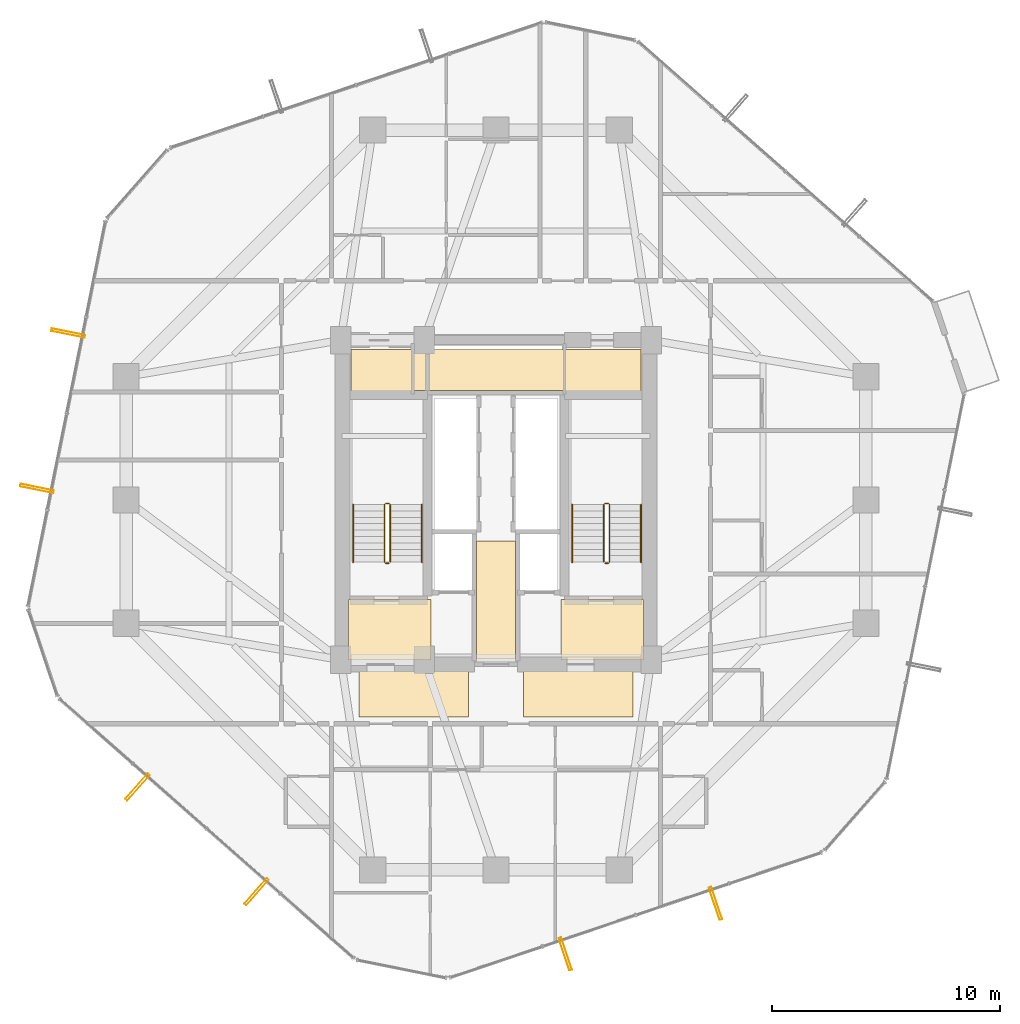
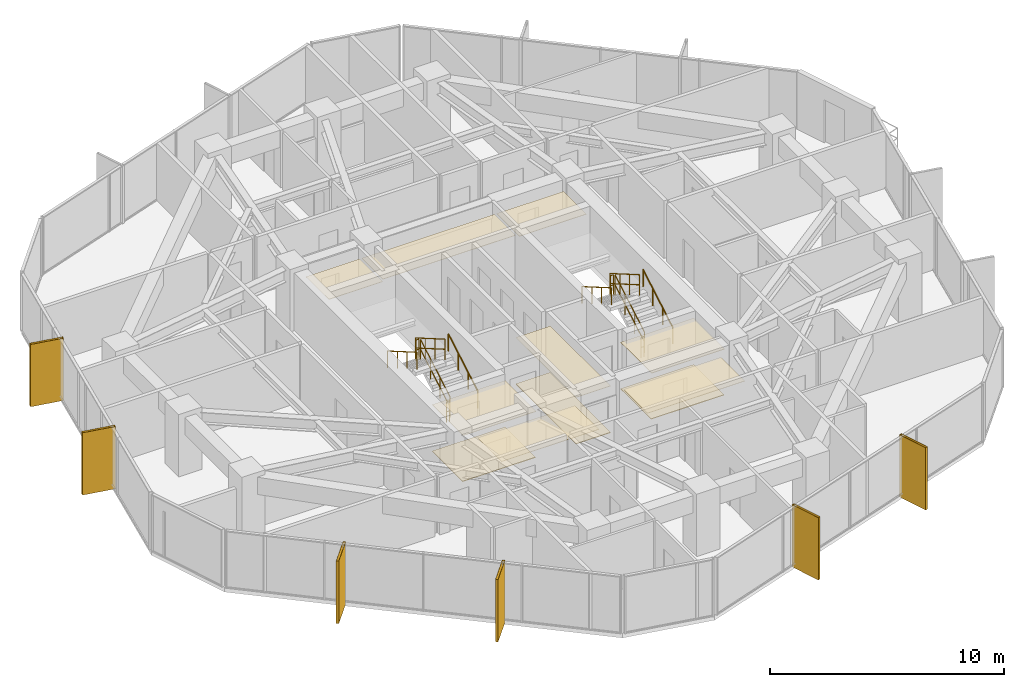
# One storey, part 31 of 32: 12 railings, 11 coverings, 6 shading devices.
"""IFC4 building model written with IfcOpenShell, lengths in metres."""

from ifc_helpers import new_model, si_unit, direction, frame, origin, origin_2d, place, context, subcontext, project, spatial, polyline, hollow_rectangle, circle, outline, extrude, material, layer, layer_set, material_profile, profile_set, type_object, element, save


model = new_model("IFC4")

# Units and contexts
model_context = context("Model", 3, precision=1e-05, world=origin(), true_north=direction((0.0, 1.0)))
body_context = subcontext(model_context, "Body", "Model", "MODEL_VIEW")
ifc_project = project(units=[si_unit("LENGTHUNIT", "METRE"), si_unit("AREAUNIT", "SQUARE_METRE"), si_unit("VOLUMEUNIT", "CUBIC_METRE"), si_unit("PLANEANGLEUNIT", "RADIAN"), si_unit("MASSUNIT", "GRAM", prefix="KILO")], contexts=[model_context])

# Site, building, storey
site_placement = place(None, origin())
site = spatial("IfcSite", under=ifc_project, at=site_placement, CompositionType="ELEMENT")
building_placement = place(site_placement, origin())
building = spatial("IfcBuilding", under=site, at=building_placement, Name="Veraguas Prism Commons", CompositionType="ELEMENT")
storey_placement = place(building_placement, frame((0.0, 0.0, 89.449951171875)))
storey = spatial("IfcBuildingStorey", under=building, at=storey_placement, Name="L24", CompositionType="ELEMENT", Elevation=89.449951171875)

# Shading devices
ifc_material_1 = material(Name="Anodised aluminium EN AW-6063 T6", Category="aluminium")
ifc_material_profile = material_profile(ifc_material_1, hollow_rectangle(XDim=0.1201171875, YDim=1.489990234375, WallThickness=0.006103515625, at=origin_2d()), Name="FIN120X1490X6")
ifc_profile_set = profile_set([ifc_material_profile], Name="Anodised aluminium EN AW-6063 T6")
shading_device_type = type_object("IfcShadingDeviceType", Name="Deep Pale-Metal Vertical Solar Fin 120x1490", PredefinedType="USERDEFINED", material=ifc_profile_set)
for number, where, z_axis, x_axis, name in (
    (1, (5.266845703125, 31.31103515625, -0.22998046875), (0.0, 0.0, 1.0), (-0.197316860169, -0.980339765945, 0.0), "Vertical Pale-Metal Solar Fin L24-F3A"),
    (2, (3.897216796875, 24.505615234375, -0.22998046875), (0.0, 0.0, 1.0), (-0.197316860169, -0.980339765945, 0.0), "Vertical Pale-Metal Solar Fin L24-F3B"),
    (3, (8.302001953125, 11.43212890625, -0.22998046875), (0.0, 0.0, 1.0), (0.750338404055, -0.661053915653, 0.0), "Vertical Pale-Metal Solar Fin L24-F4A"),
    (4, (13.510498046875, 6.84326171875, -0.22998046875), (0.0, 0.0, 1.0), (0.750338404055, -0.661053915653, 0.0), "Vertical Pale-Metal Solar Fin L24-F4B"),
    (5, (27.03515625, 4.12109375, -0.22998046875), (0.0, 0.0, 1.0), (0.947658686254, 0.31928516152, 0.0), "Vertical Pale-Metal Solar Fin L24-F5A"),
    (6, (33.613525390625, 6.33740234375, -0.22998046875), (0.0, 0.0, 1.0), (0.947658686254, 0.31928516152, 0.0), "Vertical Pale-Metal Solar Fin L24-F5B"),
):
    element("IfcShadingDevice", number, at=place(storey_placement, frame(where, z_axis=z_axis, x_axis=x_axis)), inside=storey, type_object=shading_device_type, Name=name, ObjectType="FIN", PredefinedType="USERDEFINED", context=body_context, shape_type="SweptSolid", body=[
        extrude(hollow_rectangle(XDim=0.1201171875, YDim=1.489990234375, WallThickness=0.006103515625, at=origin_2d()), origin(), (0.0, 0.0, 1.0), 3.25),
    ])

# Coverings
ifc_material_2 = material(Name="Acoustic gypsum board")
ifc_layer_1 = layer(ifc_material_2, 0.02490234375, Name="Perforated Acoustic Ceiling Tile 25")
ifc_layer_set_1 = layer_set([ifc_layer_1], Name="Acoustic gypsum board")
covering_type_1 = type_object("IfcCoveringType", Name="Perforated Acoustic Ceiling Tile 25", PredefinedType="USERDEFINED", material=ifc_layer_set_1)
covering_1_placement = place(storey_placement, frame((0.0, 0.0, 2.425048828125)))
element("IfcCovering", 7, at=covering_1_placement, inside=storey, type_object=covering_type_1, Name="East Lobby Acoustic Ceiling L24", ObjectType="ACOUSTIC CEILING", PredefinedType="USERDEFINED", context=body_context, shape_type="SweptSolid", body=[
    extrude(outline(polyline([(26.85009765625, 17.0), (30.449951171875, 17.0), (30.449951171875, 19.64990234375), (26.85009765625, 19.64990234375), (26.85009765625, 17.0)])), origin(), (0.0, 0.0, 1.0), 0.02490234375),
])
ifc_material_3 = material(Name="Terrazzo stone finish", Category="masonry")
ifc_layer_2 = layer(ifc_material_3, 0.030029296875, Name="Polished Terrazzo Floor Finish 30", Category="masonry")
ifc_layer_set_2 = layer_set([ifc_layer_2], Name="Terrazzo stone finish")
covering_type_2 = type_object("IfcCoveringType", Name="Polished Terrazzo Floor Finish 30", PredefinedType="FLOORING", material=ifc_layer_set_2)
covering_2_placement = place(storey_placement, origin())
element("IfcCovering", 8, at=covering_2_placement, inside=storey, type_object=covering_type_2, Name="Terrazzo Lobby Flooring L24", PredefinedType="FLOORING", context=body_context, shape_type="SweptSolid", body=[
    extrude(outline(polyline([(23.14990234375, 17.050048828125), (24.85009765625, 17.050048828125), (24.85009765625, 22.199951171875), (23.14990234375, 22.199951171875), (23.14990234375, 17.050048828125)])), origin(), (0.0, 0.0, 1.0), 0.030029296875),
])
covering_3_placement = place(storey_placement, origin())
element("IfcCovering", 9, at=covering_3_placement, inside=storey, type_object=covering_type_2, Name="West FF Lobby Terrazzo Flooring L24", PredefinedType="FLOORING", context=body_context, shape_type="SweptSolid", body=[
    extrude(outline(polyline([(17.550048828125, 17.050048828125), (21.14990234375, 17.050048828125), (21.14990234375, 19.64990234375), (17.550048828125, 19.64990234375), (17.550048828125, 17.050048828125)])), origin(), (0.0, 0.0, 1.0), 0.030029296875),
])
covering_4_placement = place(storey_placement, origin())
element("IfcCovering", 10, at=covering_4_placement, inside=storey, type_object=covering_type_2, Name="East FF Lobby Terrazzo Flooring L24", PredefinedType="FLOORING", context=body_context, shape_type="SweptSolid", body=[
    extrude(outline(polyline([(26.85009765625, 17.050048828125), (30.449951171875, 17.050048828125), (30.449951171875, 19.64990234375), (26.85009765625, 19.64990234375), (26.85009765625, 17.050048828125)])), origin(), (0.0, 0.0, 1.0), 0.030029296875),
])

# Railings
ifc_material_4 = material(Name="Stainless steel AISI 316", Category="steel")
railing_type_1 = type_object("IfcRailingType", Name="Stair and Ramp Stainless Handrail 900", PredefinedType="HANDRAIL", material=ifc_material_4)
railing_1_placement = place(storey_placement, frame((20.75, 21.280029296875, 0.16259765625)))
element("IfcRailing", 11, at=railing_1_placement, inside=storey, type_object=railing_type_1, Name="Stair Handrail ST-01 L24-1", PredefinedType="HANDRAIL", context=body_context, shape_type="SweptSolid", body=[
    extrude(circle(Radius=0.02392578125, at=origin_2d()), frame((0.0, 0.0, 0.8759765625), z_axis=(0.0, 0.864913338283, 0.50192122615), x_axis=(-1.0, 0.0, 0.0)), (0.0, 0.0, 1.0), 2.91357421875),
    extrude(circle(Radius=0.02099609375, at=origin_2d()), origin(), (0.0, 0.0, 1.0), 0.851806640625),
    extrude(circle(Radius=0.02099609375, at=origin_2d()), frame((0.0, 0.840087890625, 0.487548828125)), (0.0, 0.0, 1.0), 0.851806640625),
    extrude(circle(Radius=0.02099609375, at=origin_2d()), frame((0.0, 1.679931640625, 0.974853515625)), (0.0, 0.0, 1.0), 0.851806640625),
    extrude(circle(Radius=0.02099609375, at=origin_2d()), frame((0.0, 2.52001953125, 1.46240234375)), (0.0, 0.0, 1.0), 0.851806640625),
])
railing_2_placement = place(storey_placement, frame((17.739990234375, 23.800048828125, 1.78759765625)))
element("IfcRailing", 12, at=railing_2_placement, inside=storey, type_object=railing_type_1, Name="Stair Handrail ST-01 L24-2", PredefinedType="HANDRAIL", context=body_context, shape_type="SweptSolid", body=[
    extrude(circle(Radius=0.02392578125, at=origin_2d()), frame((0.0, 0.0, 0.8759765625), z_axis=(0.0, -0.864913338283, 0.50192122615), x_axis=(1.0, 0.0, 0.0)), (0.0, 0.0, 1.0), 2.91357421875),
    extrude(circle(Radius=0.02099609375, at=origin_2d()), origin(), (0.0, 0.0, 1.0), 0.851806640625),
    extrude(circle(Radius=0.02099609375, at=origin_2d()), frame((0.0, -0.840087890625, 0.487548828125)), (0.0, 0.0, 1.0), 0.851806640625),
    extrude(circle(Radius=0.02099609375, at=origin_2d()), frame((0.0, -1.679931640625, 0.974853515625)), (0.0, 0.0, 1.0), 0.851806640625),
    extrude(circle(Radius=0.02099609375, at=origin_2d()), frame((0.0, -2.52001953125, 1.46240234375)), (0.0, 0.0, 1.0), 0.851806640625),
])
railing_3_placement = place(storey_placement, frame((30.35009765625, 21.280029296875, 0.16259765625)))
element("IfcRailing", 13, at=railing_3_placement, inside=storey, type_object=railing_type_1, Name="Stair Handrail ST-02 L24-1", PredefinedType="HANDRAIL", context=body_context, shape_type="SweptSolid", body=[
    extrude(circle(Radius=0.02392578125, at=origin_2d()), frame((0.0, 0.0, 0.8759765625), z_axis=(0.0, 0.864913338283, 0.50192122615), x_axis=(-1.0, 0.0, 0.0)), (0.0, 0.0, 1.0), 2.91357421875),
    extrude(circle(Radius=0.02099609375, at=origin_2d()), origin(), (0.0, 0.0, 1.0), 0.851806640625),
    extrude(circle(Radius=0.02099609375, at=origin_2d()), frame((0.0, 0.840087890625, 0.487548828125)), (0.0, 0.0, 1.0), 0.851806640625),
    extrude(circle(Radius=0.02099609375, at=origin_2d()), frame((0.0, 1.679931640625, 0.974853515625)), (0.0, 0.0, 1.0), 0.851806640625),
    extrude(circle(Radius=0.02099609375, at=origin_2d()), frame((0.0, 2.52001953125, 1.46240234375)), (0.0, 0.0, 1.0), 0.851806640625),
])
railing_4_placement = place(storey_placement, frame((27.340087890625, 23.800048828125, 1.78759765625)))
element("IfcRailing", 14, at=railing_4_placement, inside=storey, type_object=railing_type_1, Name="Stair Handrail ST-02 L24-2", PredefinedType="HANDRAIL", context=body_context, shape_type="SweptSolid", body=[
    extrude(circle(Radius=0.02392578125, at=origin_2d()), frame((0.0, 0.0, 0.8759765625), z_axis=(0.0, -0.864913338283, 0.50192122615), x_axis=(1.0, 0.0, 0.0)), (0.0, 0.0, 1.0), 2.91357421875),
    extrude(circle(Radius=0.02099609375, at=origin_2d()), origin(), (0.0, 0.0, 1.0), 0.851806640625),
    extrude(circle(Radius=0.02099609375, at=origin_2d()), frame((0.0, -0.840087890625, 0.487548828125)), (0.0, 0.0, 1.0), 0.851806640625),
    extrude(circle(Radius=0.02099609375, at=origin_2d()), frame((0.0, -1.679931640625, 0.974853515625)), (0.0, 0.0, 1.0), 0.851806640625),
    extrude(circle(Radius=0.02099609375, at=origin_2d()), frame((0.0, -2.52001953125, 1.46240234375)), (0.0, 0.0, 1.0), 0.851806640625),
])
railing_type_2 = type_object("IfcRailingType", Name="Stairwell Safety Guardrail 1100", PredefinedType="GUARDRAIL", material=ifc_material_4)
railing_5_placement = place(storey_placement, frame((19.3701171875, 21.280029296875, 0.16259765625)))
element("IfcRailing", 15, at=railing_5_placement, inside=storey, type_object=railing_type_2, Name="Stair Guard ST-01 L24-1", PredefinedType="GUARDRAIL", context=body_context, shape_type="SweptSolid", body=[
    extrude(circle(Radius=0.02392578125, at=origin_2d()), frame((0.0, 0.0, 1.076171875), z_axis=(0.0, 0.864913338283, 0.50192122615), x_axis=(-1.0, 0.0, 0.0)), (0.0, 0.0, 1.0), 2.91357421875),
    extrude(circle(Radius=0.02392578125, at=origin_2d()), frame((0.0, 0.0, 0.550048828125), z_axis=(0.0, 0.864913338283, 0.50192122615), x_axis=(-1.0, 0.0, 0.0)), (0.0, 0.0, 1.0), 2.91357421875),
    extrude(circle(Radius=0.02099609375, at=origin_2d()), origin(), (0.0, 0.0, 1.0), 1.052001953125),
    extrude(circle(Radius=0.02099609375, at=origin_2d()), frame((0.0, 0.840087890625, 0.487548828125)), (0.0, 0.0, 1.0), 1.052001953125),
    extrude(circle(Radius=0.02099609375, at=origin_2d()), frame((0.0, 1.679931640625, 0.974853515625)), (0.0, 0.0, 1.0), 1.052001953125),
    extrude(circle(Radius=0.02099609375, at=origin_2d()), frame((0.0, 2.52001953125, 1.46240234375)), (0.0, 0.0, 1.0), 1.052001953125),
])
railing_6_placement = place(storey_placement, frame((19.320068359375, 23.85009765625, 1.625)))
element("IfcRailing", 16, at=railing_6_placement, inside=storey, type_object=railing_type_2, Name="Stair Guard ST-01 L24-2", PredefinedType="GUARDRAIL", context=body_context, shape_type="SweptSolid", body=[
    extrude(circle(Radius=0.02392578125, at=origin_2d()), frame((0.0, 0.0, 1.076171875), z_axis=(-1.0, 0.0, 0.0), x_axis=(0.0, -1.0, 0.0)), (0.0, 0.0, 1.0), 0.150146484375),
    extrude(circle(Radius=0.02392578125, at=origin_2d()), frame((0.0, 0.0, 0.550048828125), z_axis=(-1.0, 0.0, 0.0), x_axis=(0.0, -1.0, 0.0)), (0.0, 0.0, 1.0), 0.150146484375),
    extrude(circle(Radius=0.02099609375, at=origin_2d()), origin(), (0.0, 0.0, 1.0), 1.052001953125),
    extrude(circle(Radius=0.02099609375, at=origin_2d()), frame((-0.150146484375, 0.0, 0.0)), (0.0, 0.0, 1.0), 1.052001953125),
])
railing_7_placement = place(storey_placement, frame((19.1201171875, 23.800048828125, 1.78759765625)))
element("IfcRailing", 17, at=railing_7_placement, inside=storey, type_object=railing_type_2, Name="Stair Guard ST-01 L24-3", PredefinedType="GUARDRAIL", context=body_context, shape_type="SweptSolid", body=[
    extrude(circle(Radius=0.02392578125, at=origin_2d()), frame((0.0, 0.0, 1.076171875), z_axis=(0.0, -0.864913338283, 0.50192122615), x_axis=(1.0, 0.0, 0.0)), (0.0, 0.0, 1.0), 2.91357421875),
    extrude(circle(Radius=0.02392578125, at=origin_2d()), frame((0.0, 0.0, 0.550048828125), z_axis=(0.0, -0.864913338283, 0.50192122615), x_axis=(1.0, 0.0, 0.0)), (0.0, 0.0, 1.0), 2.91357421875),
    extrude(circle(Radius=0.02099609375, at=origin_2d()), origin(), (0.0, 0.0, 1.0), 1.052001953125),
    extrude(circle(Radius=0.02099609375, at=origin_2d()), frame((0.0, -0.840087890625, 0.487548828125)), (0.0, 0.0, 1.0), 1.052001953125),
    extrude(circle(Radius=0.02099609375, at=origin_2d()), frame((0.0, -1.679931640625, 0.974853515625)), (0.0, 0.0, 1.0), 1.052001953125),
    extrude(circle(Radius=0.02099609375, at=origin_2d()), frame((0.0, -2.52001953125, 1.46240234375)), (0.0, 0.0, 1.0), 1.052001953125),
])
railing_8_placement = place(storey_placement, frame((19.320068359375, 21.22998046875, 0.0)))
element("IfcRailing", 18, at=railing_8_placement, inside=storey, type_object=railing_type_2, Name="Stair Guard ST-01 L24-4", PredefinedType="GUARDRAIL", context=body_context, shape_type="SweptSolid", body=[
    extrude(circle(Radius=0.02392578125, at=origin_2d()), frame((0.0, 0.0, 1.076171875), z_axis=(-1.0, 0.0, 0.0), x_axis=(0.0, -1.0, 0.0)), (0.0, 0.0, 1.0), 0.150146484375),
    extrude(circle(Radius=0.02392578125, at=origin_2d()), frame((0.0, 0.0, 0.550048828125), z_axis=(-1.0, 0.0, 0.0), x_axis=(0.0, -1.0, 0.0)), (0.0, 0.0, 1.0), 0.150146484375),
    extrude(circle(Radius=0.02099609375, at=origin_2d()), origin(), (0.0, 0.0, 1.0), 1.052001953125),
    extrude(circle(Radius=0.02099609375, at=origin_2d()), frame((-0.150146484375, 0.0, 0.0)), (0.0, 0.0, 1.0), 1.052001953125),
])
railing_9_placement = place(storey_placement, frame((28.969970703125, 21.280029296875, 0.16259765625)))
element("IfcRailing", 19, at=railing_9_placement, inside=storey, type_object=railing_type_2, Name="Stair Guard ST-02 L24-1", PredefinedType="GUARDRAIL", context=body_context, shape_type="SweptSolid", body=[
    extrude(circle(Radius=0.02392578125, at=origin_2d()), frame((0.0, 0.0, 1.076171875), z_axis=(0.0, 0.864913338283, 0.50192122615), x_axis=(-1.0, 0.0, 0.0)), (0.0, 0.0, 1.0), 2.91357421875),
    extrude(circle(Radius=0.02392578125, at=origin_2d()), frame((0.0, 0.0, 0.550048828125), z_axis=(0.0, 0.864913338283, 0.50192122615), x_axis=(-1.0, 0.0, 0.0)), (0.0, 0.0, 1.0), 2.91357421875),
    extrude(circle(Radius=0.02099609375, at=origin_2d()), origin(), (0.0, 0.0, 1.0), 1.052001953125),
    extrude(circle(Radius=0.02099609375, at=origin_2d()), frame((0.0, 0.840087890625, 0.487548828125)), (0.0, 0.0, 1.0), 1.052001953125),
    extrude(circle(Radius=0.02099609375, at=origin_2d()), frame((0.0, 1.679931640625, 0.974853515625)), (0.0, 0.0, 1.0), 1.052001953125),
    extrude(circle(Radius=0.02099609375, at=origin_2d()), frame((0.0, 2.52001953125, 1.46240234375)), (0.0, 0.0, 1.0), 1.052001953125),
])
railing_10_placement = place(storey_placement, frame((28.919921875, 23.85009765625, 1.625)))
element("IfcRailing", 20, at=railing_10_placement, inside=storey, type_object=railing_type_2, Name="Stair Guard ST-02 L24-2", PredefinedType="GUARDRAIL", context=body_context, shape_type="SweptSolid", body=[
    extrude(circle(Radius=0.02392578125, at=origin_2d()), frame((0.0, 0.0, 1.076171875), z_axis=(-1.0, 0.0, 0.0), x_axis=(0.0, -1.0, 0.0)), (0.0, 0.0, 1.0), 0.14990234375),
    extrude(circle(Radius=0.02392578125, at=origin_2d()), frame((0.0, 0.0, 0.550048828125), z_axis=(-1.0, 0.0, 0.0), x_axis=(0.0, -1.0, 0.0)), (0.0, 0.0, 1.0), 0.14990234375),
    extrude(circle(Radius=0.02099609375, at=origin_2d()), origin(), (0.0, 0.0, 1.0), 1.052001953125),
    extrude(circle(Radius=0.02099609375, at=origin_2d()), frame((-0.14990234375, 0.0, 0.0)), (0.0, 0.0, 1.0), 1.052001953125),
])
railing_11_placement = place(storey_placement, frame((28.719970703125, 23.800048828125, 1.78759765625)))
element("IfcRailing", 21, at=railing_11_placement, inside=storey, type_object=railing_type_2, Name="Stair Guard ST-02 L24-3", PredefinedType="GUARDRAIL", context=body_context, shape_type="SweptSolid", body=[
    extrude(circle(Radius=0.02392578125, at=origin_2d()), frame((0.0, 0.0, 1.076171875), z_axis=(0.0, -0.864913338283, 0.50192122615), x_axis=(1.0, 0.0, 0.0)), (0.0, 0.0, 1.0), 2.91357421875),
    extrude(circle(Radius=0.02392578125, at=origin_2d()), frame((0.0, 0.0, 0.550048828125), z_axis=(0.0, -0.864913338283, 0.50192122615), x_axis=(1.0, 0.0, 0.0)), (0.0, 0.0, 1.0), 2.91357421875),
    extrude(circle(Radius=0.02099609375, at=origin_2d()), origin(), (0.0, 0.0, 1.0), 1.052001953125),
    extrude(circle(Radius=0.02099609375, at=origin_2d()), frame((0.0, -0.840087890625, 0.487548828125)), (0.0, 0.0, 1.0), 1.052001953125),
    extrude(circle(Radius=0.02099609375, at=origin_2d()), frame((0.0, -1.679931640625, 0.974853515625)), (0.0, 0.0, 1.0), 1.052001953125),
    extrude(circle(Radius=0.02099609375, at=origin_2d()), frame((0.0, -2.52001953125, 1.46240234375)), (0.0, 0.0, 1.0), 1.052001953125),
])
railing_12_placement = place(storey_placement, frame((28.919921875, 21.22998046875, 0.0)))
element("IfcRailing", 22, at=railing_12_placement, inside=storey, type_object=railing_type_2, Name="Stair Guard ST-02 L24-4", PredefinedType="GUARDRAIL", context=body_context, shape_type="SweptSolid", body=[
    extrude(circle(Radius=0.02392578125, at=origin_2d()), frame((0.0, 0.0, 1.076171875), z_axis=(-1.0, 0.0, 0.0), x_axis=(0.0, -1.0, 0.0)), (0.0, 0.0, 1.0), 0.14990234375),
    extrude(circle(Radius=0.02392578125, at=origin_2d()), frame((0.0, 0.0, 0.550048828125), z_axis=(-1.0, 0.0, 0.0), x_axis=(0.0, -1.0, 0.0)), (0.0, 0.0, 1.0), 0.14990234375),
    extrude(circle(Radius=0.02099609375, at=origin_2d()), origin(), (0.0, 0.0, 1.0), 1.052001953125),
    extrude(circle(Radius=0.02099609375, at=origin_2d()), frame((-0.14990234375, 0.0, 0.0)), (0.0, 0.0, 1.0), 1.052001953125),
])

# Coverings
ifc_layer_3 = layer(ifc_material_2, 0.02001953125, Name="Suspended Gypsum Ceiling 20")
ifc_layer_set_3 = layer_set([ifc_layer_3], Name="Acoustic gypsum board")
covering_type_3 = type_object("IfcCoveringType", Name="Suspended Gypsum Ceiling 20", PredefinedType="CEILING", material=ifc_layer_set_3)
covering_5_placement = place(storey_placement, frame((0.0, 0.0, 2.429931640625)))
element("IfcCovering", 23, at=covering_5_placement, inside=storey, type_object=covering_type_3, Name="West Lobby Suspended Gypsum Ceiling L24", PredefinedType="CEILING", context=body_context, shape_type="SweptSolid", body=[
    extrude(outline(polyline([(17.550048828125, 17.0), (21.14990234375, 17.0), (21.14990234375, 19.64990234375), (17.550048828125, 19.64990234375), (17.550048828125, 17.0)])), origin(), (0.0, 0.0, 1.0), 0.02001953125),
])
covering_6_placement = place(storey_placement, frame((0.0, 0.0, 2.429931640625)))
element("IfcCovering", 24, at=covering_6_placement, inside=storey, type_object=covering_type_3, Name="Core Lobby Acoustic Ceiling L24-1", PredefinedType="CEILING", context=body_context, shape_type="SweptSolid", body=[
    extrude(outline(polyline([(18.0, 14.5), (22.800048828125, 14.5), (22.800048828125, 16.550048828125), (18.0, 16.550048828125), (18.0, 14.5)])), origin(), (0.0, 0.0, 1.0), 0.02001953125),
])
covering_7_placement = place(storey_placement, frame((0.0, 0.0, 2.429931640625)))
element("IfcCovering", 25, at=covering_7_placement, inside=storey, type_object=covering_type_3, Name="Core Lobby Acoustic Ceiling L24-2", PredefinedType="CEILING", context=body_context, shape_type="SweptSolid", body=[
    extrude(outline(polyline([(25.199951171875, 14.5), (30.0, 14.5), (30.0, 16.550048828125), (25.199951171875, 16.550048828125), (25.199951171875, 14.5)])), origin(), (0.0, 0.0, 1.0), 0.02001953125),
])
covering_8_placement = place(storey_placement, frame((0.0, 0.0, 2.429931640625)))
element("IfcCovering", 26, at=covering_8_placement, inside=storey, type_object=covering_type_3, Name="Core Lobby Acoustic Ceiling L24-3", PredefinedType="CEILING", context=body_context, shape_type="SweptSolid", body=[
    extrude(outline(polyline([(23.14990234375, 17.050048828125), (24.85009765625, 17.050048828125), (24.85009765625, 22.199951171875), (23.14990234375, 22.199951171875), (23.14990234375, 17.050048828125)])), origin(), (0.0, 0.0, 1.0), 0.02001953125),
])
covering_9_placement = place(storey_placement, frame((0.0, 0.0, 2.429931640625)))
element("IfcCovering", 27, at=covering_9_placement, inside=storey, type_object=covering_type_3, Name="Core Lobby Acoustic Ceiling L24-4", PredefinedType="CEILING", context=body_context, shape_type="SweptSolid", body=[
    extrude(outline(polyline([(17.64990234375, 28.64990234375), (20.300048828125, 28.64990234375), (20.300048828125, 30.60009765625), (17.64990234375, 30.60009765625), (17.64990234375, 28.64990234375)])), origin(), (0.0, 0.0, 1.0), 0.02001953125),
])
covering_10_placement = place(storey_placement, frame((0.0, 0.0, 2.429931640625)))
element("IfcCovering", 28, at=covering_10_placement, inside=storey, type_object=covering_type_3, Name="Core Lobby Acoustic Ceiling L24-5", PredefinedType="CEILING", context=body_context, shape_type="SweptSolid", body=[
    extrude(outline(polyline([(27.050048828125, 28.64990234375), (30.35009765625, 28.64990234375), (30.35009765625, 30.60009765625), (27.050048828125, 30.60009765625), (27.050048828125, 28.64990234375)])), origin(), (0.0, 0.0, 1.0), 0.02001953125),
])
covering_11_placement = place(storey_placement, frame((0.0, 0.0, 2.429931640625)))
element("IfcCovering", 29, at=covering_11_placement, inside=storey, type_object=covering_type_3, Name="Core Lobby Acoustic Ceiling L24-6", PredefinedType="CEILING", context=body_context, shape_type="SweptSolid", body=[
    extrude(outline(polyline([(20.39990234375, 28.800048828125), (26.949951171875, 28.800048828125), (26.949951171875, 30.60009765625), (20.39990234375, 30.60009765625), (20.39990234375, 28.800048828125)])), origin(), (0.0, 0.0, 1.0), 0.02001953125),
])

save(model, "model.ifc")
